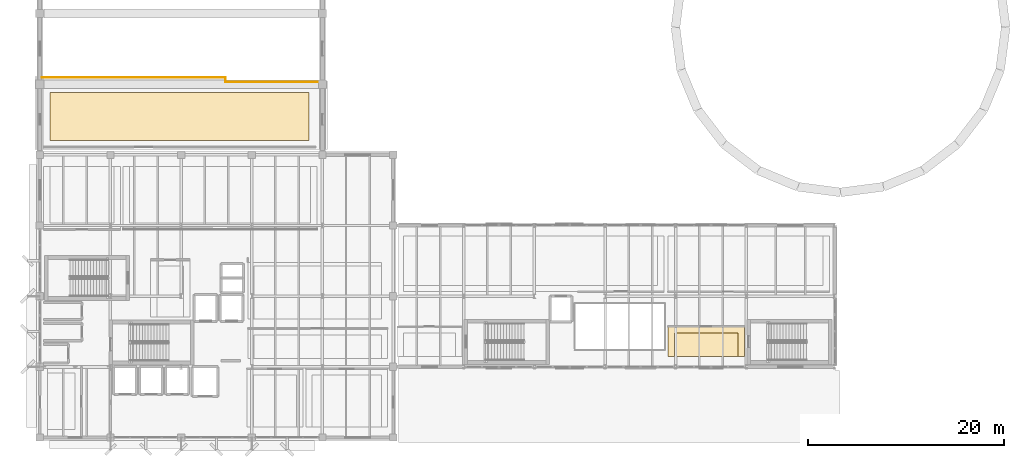
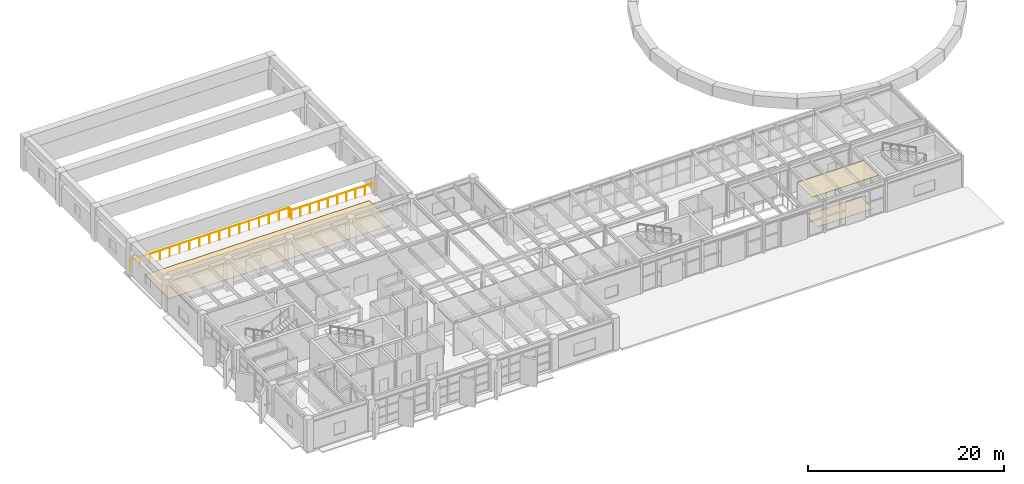
# One storey, part 36 of 37: 3 coverings, 1 railing.
"""IFC4 building model written with IfcOpenShell, lengths in metres."""

from ifc_helpers import new_model, si_unit, direction, frame, origin, origin_2d, place, context, subcontext, project, spatial, polyline, circle, outline, extrude, material, layer, layer_set, type_object, element, save


model = new_model("IFC4")

# Units and contexts
model_context = context("Model", 3, precision=1e-05, world=origin(), true_north=direction((0.0, 1.0)))
body_context = subcontext(model_context, "Body", "Model", "MODEL_VIEW")
ifc_project = project(units=[si_unit("LENGTHUNIT", "METRE"), si_unit("AREAUNIT", "SQUARE_METRE"), si_unit("VOLUMEUNIT", "CUBIC_METRE"), si_unit("PLANEANGLEUNIT", "RADIAN"), si_unit("MASSUNIT", "GRAM", prefix="KILO")], contexts=[model_context])

# Site, building, storey
site_placement = place(None, origin())
site = spatial("IfcSite", under=ifc_project, at=site_placement, CompositionType="ELEMENT")
building_placement = place(site_placement, origin())
building = spatial("IfcBuilding", under=site, at=building_placement, Name="Kandorven Conservatory and Botanical Research Centre", CompositionType="ELEMENT")
storey_placement = place(building_placement, frame((0.0, 0.0, 9.0)))
storey = spatial("IfcBuildingStorey", under=building, at=storey_placement, Name="L02", CompositionType="ELEMENT", Elevation=9.0)

# Coverings
ifc_material_1 = material(Name="Perforated mineral-fibre acoustic ceiling tile", Category="gypsum")
ifc_layer_1 = layer(ifc_material_1, 0.0400390625)
ifc_layer_set_1 = layer_set([ifc_layer_1], Name="Perforated mineral-fibre acoustic ceiling tile")
covering_type_1 = type_object("IfcCoveringType", Name="Cov_Ceiling_1", PredefinedType="CEILING", material=ifc_layer_set_1)
covering_1_placement = place(storey_placement, frame((0.0, 0.0, 3.89990234375)))
element("IfcCovering", 1, at=covering_1_placement, inside=storey, type_object=covering_type_1, Name="Suspended acoustic ceiling CLG-01 (Botanical Illustration and Microscopy Classroom)", PredefinedType="CEILING", context=body_context, shape_type="SweptSolid", body=[
    extrude(outline(polyline([(70.0, 14.25), (77.800048828125, 14.25), (77.800048828125, 17.300048828125), (70.0, 17.300048828125), (70.0, 14.25)])), origin(), (0.0, 0.0, 1.0), 0.0400390625),
])
ifc_material_2 = material(Name="Honed Kota stone and epoxy laboratory flooring", Category="masonry")
ifc_layer_2 = layer(ifc_material_2, 0.02490234375)
ifc_layer_set_2 = layer_set([ifc_layer_2], Name="Honed Kota stone and epoxy laboratory flooring")
covering_type_2 = type_object("IfcCoveringType", Name="Cov_Flooring_1", PredefinedType="FLOORING", material=ifc_layer_set_2)
covering_2_placement = place(storey_placement, origin())
element("IfcCovering", 2, at=covering_2_placement, inside=storey, type_object=covering_type_2, Name="Floor finish FLR-01 (Auditorium Broadcast and Botanical Film Archive)", PredefinedType="FLOORING", context=body_context, shape_type="SweptSolid", body=[
    extrude(outline(polyline([(7.050048828125, 36.25), (33.449951171875, 36.25), (33.449951171875, 41.14990234375), (7.050048828125, 41.14990234375), (7.050048828125, 36.25)])), origin(), (0.0, 0.0, 1.0), 0.02490234375),
])
covering_3_placement = place(storey_placement, origin())
element("IfcCovering", 3, at=covering_3_placement, inside=storey, type_object=covering_type_2, Name="Floor finish FLR-01 (Botanical Illustration and Microscopy Classroom)", PredefinedType="FLOORING", context=body_context, shape_type="SweptSolid", body=[
    extrude(outline(polyline([(70.64990234375, 14.25), (77.14990234375, 14.25), (77.14990234375, 16.64990234375), (70.64990234375, 16.64990234375), (70.64990234375, 14.25)])), origin(), (0.0, 0.0, 1.0), 0.02490234375),
])

# Railing
ifc_material_3 = material(Name="Steel S355 (IS 2062 E350)", Category="steel")
railing_type = type_object("IfcRailingType", Name="Guard_Terrace", PredefinedType="BALUSTRADE", material=ifc_material_3)
railing_placement = place(storey_placement, frame((6.199951171875, 42.699951171875, 0.0)))
element("IfcRailing", 4, at=railing_placement, inside=storey, type_object=railing_type, Name="Auditorium L02 broadcast gallery guard balustrade GR-01", PredefinedType="BALUSTRADE", context=body_context, shape_type="SweptSolid", body=[
    extrude(circle(Radius=0.02392578125, at=origin_2d()), frame((0.0, 0.0, 1.17578125), z_axis=(1.0, 0.0, 0.0), x_axis=(0.0, 1.0, 0.0)), (0.0, 0.0, 1.0), 18.699951171875),
    extrude(circle(Radius=0.02392578125, at=origin_2d()), frame((18.699951171875, 0.0, 1.17578125), z_axis=(0.0, -1.0, 0.0), x_axis=(1.0, 0.0, 0.0)), (0.0, 0.0, 1.0), 0.5),
    extrude(circle(Radius=0.02392578125, at=origin_2d()), frame((18.699951171875, -0.5, 1.17578125), z_axis=(1.0, 0.0, 0.0), x_axis=(0.0, 1.0, 0.0)), (0.0, 0.0, 1.0), 9.7001953125),
    extrude(circle(Radius=0.02099609375, at=origin_2d()), origin(), (0.0, 0.0, 1.0), 1.15185546875),
    extrude(circle(Radius=0.02099609375, at=origin_2d()), frame((1.168701171875, 0.0, 0.0)), (0.0, 0.0, 1.0), 1.15185546875),
    extrude(circle(Radius=0.02099609375, at=origin_2d()), frame((2.33740234375, 0.0, 0.0)), (0.0, 0.0, 1.0), 1.15185546875),
    extrude(circle(Radius=0.02099609375, at=origin_2d()), frame((3.50634765625, 0.0, 0.0)), (0.0, 0.0, 1.0), 1.15185546875),
    extrude(circle(Radius=0.02099609375, at=origin_2d()), frame((4.675048828125, 0.0, 0.0)), (0.0, 0.0, 1.0), 1.15185546875),
    extrude(circle(Radius=0.02099609375, at=origin_2d()), frame((5.84375, 0.0, 0.0)), (0.0, 0.0, 1.0), 1.15185546875),
    extrude(circle(Radius=0.02099609375, at=origin_2d()), frame((7.012451171875, 0.0, 0.0)), (0.0, 0.0, 1.0), 1.15185546875),
    extrude(circle(Radius=0.02099609375, at=origin_2d()), frame((8.18115234375, 0.0, 0.0)), (0.0, 0.0, 1.0), 1.15185546875),
    extrude(circle(Radius=0.02099609375, at=origin_2d()), frame((9.35009765625, 0.0, 0.0)), (0.0, 0.0, 1.0), 1.15185546875),
    extrude(circle(Radius=0.02099609375, at=origin_2d()), frame((10.518798828125, 0.0, 0.0)), (0.0, 0.0, 1.0), 1.15185546875),
    extrude(circle(Radius=0.02099609375, at=origin_2d()), frame((11.6875, 0.0, 0.0)), (0.0, 0.0, 1.0), 1.15185546875),
    extrude(circle(Radius=0.02099609375, at=origin_2d()), frame((12.856201171875, 0.0, 0.0)), (0.0, 0.0, 1.0), 1.15185546875),
    extrude(circle(Radius=0.02099609375, at=origin_2d()), frame((14.02490234375, 0.0, 0.0)), (0.0, 0.0, 1.0), 1.15185546875),
    extrude(circle(Radius=0.02099609375, at=origin_2d()), frame((15.193603515625, 0.0, 0.0)), (0.0, 0.0, 1.0), 1.15185546875),
    extrude(circle(Radius=0.02099609375, at=origin_2d()), frame((16.362548828125, 0.0, 0.0)), (0.0, 0.0, 1.0), 1.15185546875),
    extrude(circle(Radius=0.02099609375, at=origin_2d()), frame((17.53125, 0.0, 0.0)), (0.0, 0.0, 1.0), 1.15185546875),
    extrude(circle(Radius=0.02099609375, at=origin_2d()), frame((18.699951171875, 0.0, 0.0)), (0.0, 0.0, 1.0), 1.15185546875),
    extrude(circle(Radius=0.02099609375, at=origin_2d()), frame((18.699951171875, -0.5, 0.0)), (0.0, 0.0, 1.0), 1.15185546875),
    extrude(circle(Radius=0.02099609375, at=origin_2d()), frame((19.77783203125, -0.5, 0.0)), (0.0, 0.0, 1.0), 1.15185546875),
    extrude(circle(Radius=0.02099609375, at=origin_2d()), frame((20.85546875, -0.5, 0.0)), (0.0, 0.0, 1.0), 1.15185546875),
    extrude(circle(Radius=0.02099609375, at=origin_2d()), frame((21.933349609375, -0.5, 0.0)), (0.0, 0.0, 1.0), 1.15185546875),
    extrude(circle(Radius=0.02099609375, at=origin_2d()), frame((23.01123046875, -0.5, 0.0)), (0.0, 0.0, 1.0), 1.15185546875),
    extrude(circle(Radius=0.02099609375, at=origin_2d()), frame((24.0888671875, -0.5, 0.0)), (0.0, 0.0, 1.0), 1.15185546875),
    extrude(circle(Radius=0.02099609375, at=origin_2d()), frame((25.166748046875, -0.5, 0.0)), (0.0, 0.0, 1.0), 1.15185546875),
    extrude(circle(Radius=0.02099609375, at=origin_2d()), frame((26.24462890625, -0.5, 0.0)), (0.0, 0.0, 1.0), 1.15185546875),
    extrude(circle(Radius=0.02099609375, at=origin_2d()), frame((27.322265625, -0.5, 0.0)), (0.0, 0.0, 1.0), 1.15185546875),
    extrude(circle(Radius=0.02099609375, at=origin_2d()), frame((28.400146484375, -0.5, 0.0)), (0.0, 0.0, 1.0), 1.15185546875),
])

save(model, "model.ifc")
